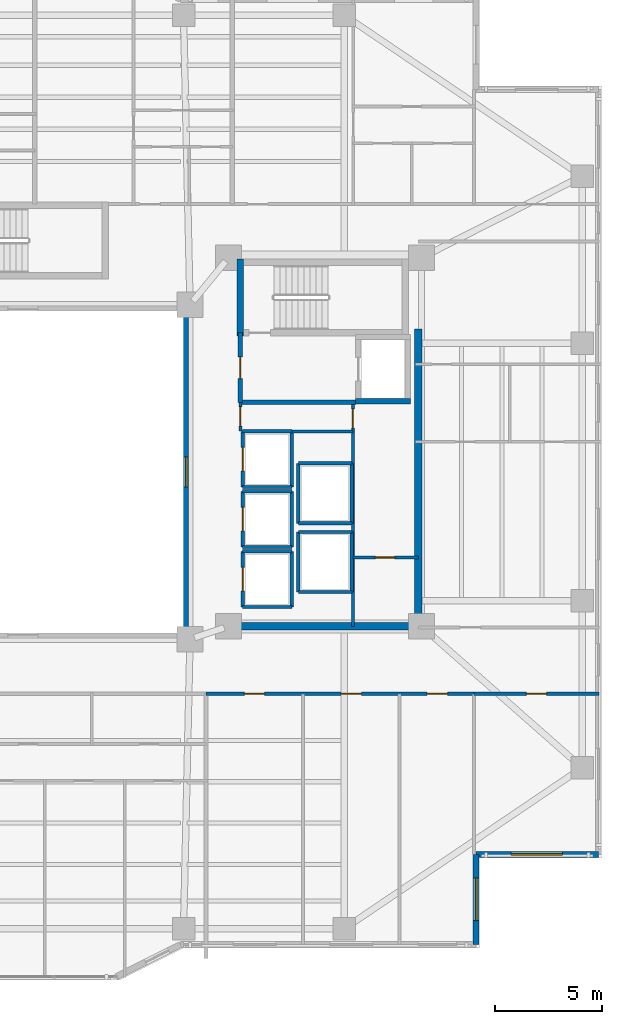
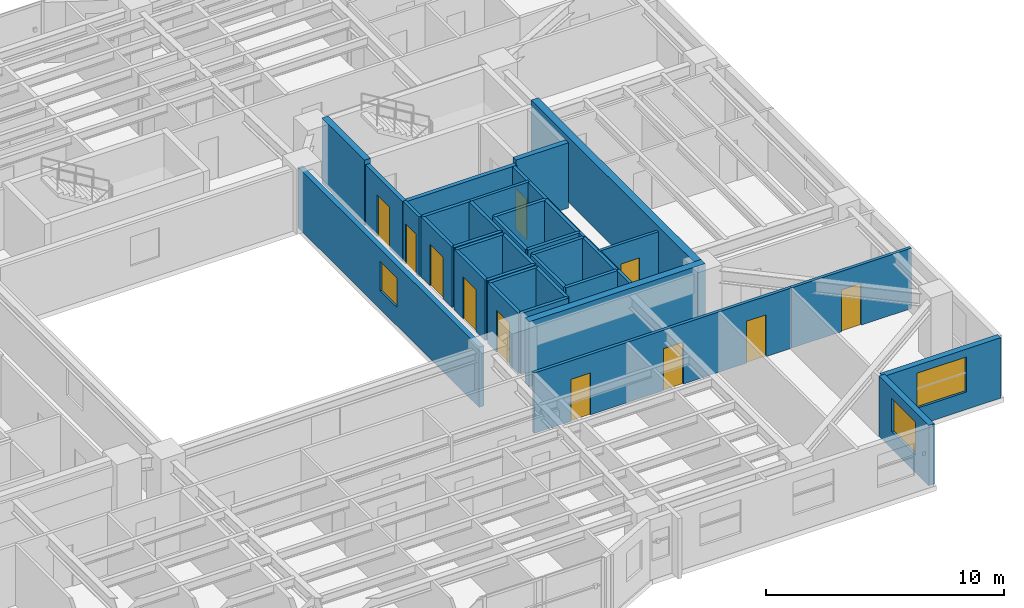
# One storey, part 8 of 18: 35 walls, 11 doors, 3 windows, 14 openings.
"""IFC4 building model written with IfcOpenShell, lengths in metres."""

from ifc_helpers import new_model, si_unit, direction, frame, frame_2d, origin, place, context, subcontext, project, spatial, rectangle, extrude, material, layer, layer_set, type_object, element, fill, save


model = new_model("IFC4")

# Units and contexts
model_context = context("Model", 3, precision=1e-05, world=origin(), true_north=direction((0.0, 1.0)))
body_context = subcontext(model_context, "Body", "Model", "MODEL_VIEW")
ifc_project = project(units=[si_unit("LENGTHUNIT", "METRE"), si_unit("AREAUNIT", "SQUARE_METRE"), si_unit("VOLUMEUNIT", "CUBIC_METRE"), si_unit("PLANEANGLEUNIT", "RADIAN"), si_unit("MASSUNIT", "GRAM", prefix="KILO")], contexts=[model_context])

# Site, building, storey
site_placement = place(None, origin())
site = spatial("IfcSite", under=ifc_project, at=site_placement, CompositionType="ELEMENT")
building_placement = place(site_placement, origin())
building = spatial("IfcBuilding", under=site, at=building_placement, Name="Tarnavaz Court Tower", CompositionType="ELEMENT")
storey_placement = place(building_placement, frame((0.0, 0.0, 95.050048828125)))
storey = spatial("IfcBuildingStorey", under=building, at=storey_placement, Name="L25", CompositionType="ELEMENT", Elevation=95.050048828125)

# Walls
ifc_material_1 = material(Name="Concrete C60/75", Category="concrete")
ifc_layer_1 = layer(ifc_material_1, 0.25)
ifc_layer_set_1 = layer_set([ifc_layer_1], Name="Concrete C60/75")
wall_type_1 = type_object("IfcWallType", Name="WL-CORE-250-C60", PredefinedType="SHEAR", material=ifc_layer_set_1)
wall_1_placement = place(storey_placement, frame((15.52490234375, 3.300048828125, 0.0), z_axis=(0.0, 0.0, 1.0), x_axis=(1.0, 0.0, 0.0)))
element("IfcWall", 1, at=wall_1_placement, inside=storey, type_object=wall_type_1, Name="L25 Lift FL-E1 Shaft Wall 035", PredefinedType="SHEAR", context=body_context, shape_type="SweptSolid", body=[
    extrude(rectangle(XDim=2.550048828125, YDim=0.25, at=frame_2d((1.27490234375, 0.0))), origin(), (0.0, 0.0, 1.0), 3.349853515625),
])
ifc_layer_2 = layer(ifc_material_1, 0.300048828125)
ifc_layer_set_2 = layer_set([ifc_layer_2], Name="Concrete C60/75")
wall_type_2 = type_object("IfcWallType", Name="WL-CORE-300-C60", PredefinedType="SHEAR", material=ifc_layer_set_2)
wall_2_placement = place(storey_placement, frame((10.14990234375, 6.35009765625, 0.0), z_axis=(0.0, 0.0, 1.0), x_axis=(0.0, 1.0, 0.0)))
element("IfcWall", 2, at=wall_2_placement, inside=storey, type_object=wall_type_2, Name="L25 East Stair Core Wall 007", PredefinedType="SHEAR", context=body_context, shape_type="SweptSolid", body=[
    extrude(rectangle(XDim=3.58984375, YDim=0.300048828125, at=frame_2d((1.794921875, 0.0))), origin(), (0.0, 0.0, 1.0), 3.349853515625),
])
ifc_layer_3 = layer(ifc_material_1, 0.35009765625)
ifc_layer_set_3 = layer_set([ifc_layer_3], Name="Concrete C60/75")
wall_type_3 = type_object("IfcWallType", Name="WL-CORE-350-C60", PredefinedType="SHEAR", material=ifc_layer_set_3)
wall_3_placement = place(storey_placement, frame((18.449951171875, -7.375, 0.0), z_axis=(0.0, 0.0, 1.0), x_axis=(0.0, 1.0, 0.0)))
element("IfcWall", 3, at=wall_3_placement, inside=storey, type_object=wall_type_3, Name="L25 East Core Shear Wall 059", PredefinedType="SHEAR", context=body_context, shape_type="SweptSolid", body=[
    extrude(rectangle(XDim=14.050048828125, YDim=0.35009765625, at=frame_2d((7.02490234375, 0.0))), origin(), (0.0, 0.0, 1.0), 3.349853515625),
])
wall_4_placement = place(storey_placement, frame((10.074951171875, -7.199951171875, 0.0), z_axis=(0.0, 0.0, 1.0), x_axis=(1.0, 0.0, 0.0)))
element("IfcWall", 4, at=wall_4_placement, inside=storey, type_object=wall_type_3, Name="L25 East Core South Shear Wall 060", PredefinedType="SHEAR", context=body_context, shape_type="SweptSolid", body=[
    extrude(rectangle(XDim=8.550048828125, YDim=0.35009765625, at=frame_2d((4.27490234375, 0.0))), origin(), (0.0, 0.0, 1.0), 3.349853515625),
])

# Wall, opening, window
ifc_material_2 = material(Name="Precast Concrete C40/50", Category="concrete")
ifc_layer_4 = layer(ifc_material_2, 0.280029296875)
ifc_layer_set_4 = layer_set([ifc_layer_4], Name="Precast Concrete C40/50")
wall_type_4 = type_object("IfcWallType", Name="WL-EXT-280", PredefinedType="SOLIDWALL", material=ifc_layer_set_4)
wall_5_placement = place(storey_placement, frame((26.85009765625, -17.85009765625, 0.0), z_axis=(0.0, 0.0, 1.0), x_axis=(-1.0, 0.0, 0.0)))
wall_5 = element("IfcWall", 5, at=wall_5_placement, inside=storey, type_object=wall_type_4, Name="L25 Exterior Terracotta Facade Wall 13", PredefinedType="SOLIDWALL", context=body_context, shape_type="SweptSolid", body=[
    extrude(rectangle(XDim=5.7001953125, YDim=0.280029296875, at=frame_2d((2.85009765625, 0.0))), origin(), (0.0, 0.0, 1.0), 3.099853515625),
])
opening_1_placement = place(wall_5_placement, frame((1.675048828125, 0.0, 0.89990234375)))
opening_1 = element("IfcOpeningElement", 6, at=opening_1_placement, cuts=wall_5, Name="Opening W06", PredefinedType="OPENING", context=body_context, shape_type="SweptSolid", body=[
    extrude(rectangle(XDim=2.39990234375, YDim=1.800048828125, at=frame_2d((1.199951171875, 0.89990234375))), frame((0.0, 0.14990234375, 0.0), z_axis=(0.0, -1.0, 0.0), x_axis=(1.0, 0.0, 0.0)), (0.0, 0.0, 1.0), 0.300048828125),
])
ifc_material_3 = material(Name="Double-Glazed Solar Low-E Glass", Category="glass")
window_type_1 = type_object("IfcWindowType", Name="WN-APT-2400", PartitioningType="TRIPLE_PANEL_VERTICAL", PredefinedType="WINDOW", material=ifc_material_3)
window_1_placement = place(opening_1_placement, origin())
window_1 = element("IfcWindow", 7, at=window_1_placement, inside=storey, type_object=window_type_1, Name="L25 South-East Corner Reading Room Window", OverallHeight=1.800048828125, OverallWidth=2.39990234375, PartitioningType="SINGLE_PANEL", PredefinedType="WINDOW", context=body_context, shape_type="SweptSolid", body=[
    extrude(rectangle(XDim=2.39990234375, YDim=1.800048828125, at=frame_2d((1.199951171875, 0.89990234375))), frame((0.0, 0.030029296875, 0.0), z_axis=(0.0, -1.0, 0.0), x_axis=(1.0, 0.0, 0.0)), (0.0, 0.0, 1.0), 0.06005859375),
])
fill(opening_1, window_1)

wall_6_placement = place(storey_placement, frame((21.14990234375, -17.85009765625, 0.0), z_axis=(0.0, 0.0, 1.0), x_axis=(0.0, -1.0, 0.0)))
wall_6 = element("IfcWall", 8, at=wall_6_placement, inside=storey, type_object=wall_type_4, Name="L25 Exterior Terracotta Facade Wall 14", PredefinedType="SOLIDWALL", context=body_context, shape_type="SweptSolid", body=[
    extrude(rectangle(XDim=4.199951171875, YDim=0.280029296875, at=frame_2d((2.10009765625, 0.0))), origin(), (0.0, 0.0, 1.0), 3.099853515625),
])
opening_2_placement = place(wall_6_placement, frame((1.082275390625, 0.0, 0.89990234375)))
opening_2 = element("IfcOpeningElement", 9, at=opening_2_placement, cuts=wall_6, Name="Opening W08", PredefinedType="OPENING", context=body_context, shape_type="SweptSolid", body=[
    extrude(rectangle(XDim=2.0, YDim=1.699951171875, at=frame_2d((1.0, 0.85009765625))), frame((0.0, 0.14990234375, 0.0), z_axis=(0.0, -1.0, 0.0), x_axis=(1.0, 0.0, 0.0)), (0.0, 0.0, 1.0), 0.300048828125),
])
window_type_2 = type_object("IfcWindowType", Name="WN-APT-2000", PartitioningType="DOUBLE_PANEL_VERTICAL", PredefinedType="WINDOW", material=ifc_material_3)
window_2_placement = place(opening_2_placement, origin())
window_2 = element("IfcWindow", 10, at=window_2_placement, inside=storey, type_object=window_type_2, Name="L25 Resident Focus Seminar Room Window", OverallHeight=1.699951171875, OverallWidth=2.0, PartitioningType="SINGLE_PANEL", PredefinedType="WINDOW", context=body_context, shape_type="SweptSolid", body=[
    extrude(rectangle(XDim=2.0, YDim=1.699951171875, at=frame_2d((1.0, 0.85009765625))), frame((0.0, 0.030029296875, 0.0), z_axis=(0.0, -1.0, 0.0), x_axis=(1.0, 0.0, 0.0)), (0.0, 0.0, 1.0), 0.06005859375),
])
fill(opening_2, window_2)

# Wall, openings, doors
ifc_material_4 = material(Name="Gypsum Fire-Board on Acoustic Metal Stud", Category="masonry")
ifc_layer_5 = layer(ifc_material_4, 0.14990234375)
ifc_layer_set_5 = layer_set([ifc_layer_5], Name="Gypsum Fire-Board on Acoustic Metal Stud")
wall_type_5 = type_object("IfcWallType", Name="WL-FIRE-150", PredefinedType="PARTITIONING", material=ifc_layer_set_5)
wall_7_placement = place(storey_placement, frame((8.550048828125, -10.35009765625, 0.0), z_axis=(0.0, 0.0, 1.0), x_axis=(1.0, 0.0, 0.0)))
wall_7 = element("IfcWall", 11, at=wall_7_placement, inside=storey, type_object=wall_type_5, Name="L25 SE Horseshoe Wall 074", PredefinedType="PARTITIONING", context=body_context, shape_type="SweptSolid", body=[
    extrude(rectangle(XDim=12.5, YDim=0.14990234375, at=frame_2d((6.25, 0.0))), origin(), (0.0, 0.0, 1.0), 3.099853515625),
])
opening_3_placement = place(wall_7_placement, frame((1.785888671875, 0.0, 0.0)))
opening_3 = element("IfcOpeningElement", 12, at=opening_3_placement, cuts=wall_7, Name="Opening D13", PredefinedType="OPENING", context=body_context, shape_type="SweptSolid", body=[
    extrude(rectangle(XDim=0.949951171875, YDim=2.14990234375, at=frame_2d((0.47509765625, 1.074951171875))), frame((0.0, 0.0849609375, 0.0), z_axis=(0.0, -1.0, 0.0), x_axis=(1.0, 0.0, 0.0)), (0.0, 0.0, 1.0), 0.169921875),
])
opening_4_placement = place(wall_7_placement, frame((6.298095703125, 0.0, 0.0)))
opening_4 = element("IfcOpeningElement", 13, at=opening_4_placement, cuts=wall_7, Name="Opening D13", PredefinedType="OPENING", context=body_context, shape_type="SweptSolid", body=[
    extrude(rectangle(XDim=0.949951171875, YDim=2.14990234375, at=frame_2d((0.47509765625, 1.074951171875))), frame((0.0, 0.0849609375, 0.0), z_axis=(0.0, -1.0, 0.0), x_axis=(1.0, 0.0, 0.0)), (0.0, 0.0, 1.0), 0.169921875),
])
opening_5_placement = place(wall_7_placement, frame((10.31201171875, 0.0, 0.0)))
opening_5 = element("IfcOpeningElement", 14, at=opening_5_placement, cuts=wall_7, Name="Opening D13", PredefinedType="OPENING", context=body_context, shape_type="SweptSolid", body=[
    extrude(rectangle(XDim=0.949951171875, YDim=2.14990234375, at=frame_2d((0.47509765625, 1.074951171875))), frame((0.0, 0.0849609375, 0.0), z_axis=(0.0, -1.0, 0.0), x_axis=(1.0, 0.0, 0.0)), (0.0, 0.0, 1.0), 0.169921875),
])
ifc_material_5 = material(Name="Engineered Oak Timber", Category="wood")
door_type_1 = type_object("IfcDoorType", Name="DR-INT-950", OperationType="NOTDEFINED", PredefinedType="DOOR", material=ifc_material_5)
door_1_placement = place(opening_3_placement, origin())
door_1 = element("IfcDoor", 15, at=door_1_placement, inside=storey, type_object=door_type_1, Name="L25 Resident Co-Working Study Room Door", OperationType="SINGLE_SWING_LEFT", OverallHeight=2.14990234375, OverallWidth=0.949951171875, PredefinedType="DOOR", context=body_context, shape_type="SweptSolid", body=[
    extrude(rectangle(XDim=0.949951171875, YDim=2.14990234375, at=frame_2d((0.47509765625, 1.074951171875))), frame((0.0, 0.02490234375, 0.0), z_axis=(0.0, -1.0, 0.0), x_axis=(1.0, 0.0, 0.0)), (0.0, 0.0, 1.0), 0.050048828125),
])
fill(opening_3, door_1)
door_2_placement = place(opening_4_placement, origin())
door_2 = element("IfcDoor", 16, at=door_2_placement, inside=storey, type_object=door_type_1, Name="L25 Quiet Reading Library Room Door", OperationType="SINGLE_SWING_RIGHT", OverallHeight=2.14990234375, OverallWidth=0.949951171875, PredefinedType="DOOR", context=body_context, shape_type="SweptSolid", body=[
    extrude(rectangle(XDim=0.949951171875, YDim=2.14990234375, at=frame_2d((0.47509765625, 1.074951171875))), frame((0.0, 0.02490234375, 0.0), z_axis=(0.0, -1.0, 0.0), x_axis=(1.0, 0.0, 0.0)), (0.0, 0.0, 1.0), 0.050048828125),
])
fill(opening_4, door_2)
door_3_placement = place(opening_5_placement, origin())
door_3 = element("IfcDoor", 17, at=door_3_placement, inside=storey, type_object=door_type_1, Name="L25 Resident Focus Seminar Room Door", OperationType="SINGLE_SWING_LEFT", OverallHeight=2.14990234375, OverallWidth=0.949951171875, PredefinedType="DOOR", context=body_context, shape_type="SweptSolid", body=[
    extrude(rectangle(XDim=0.949951171875, YDim=2.14990234375, at=frame_2d((0.47509765625, 1.074951171875))), frame((0.0, 0.02490234375, 0.0), z_axis=(0.0, -1.0, 0.0), x_axis=(1.0, 0.0, 0.0)), (0.0, 0.0, 1.0), 0.050048828125),
])
fill(opening_5, door_3)

# Wall, opening, door
wall_8_placement = place(storey_placement, frame((21.050048828125, -10.35009765625, 0.0), z_axis=(0.0, 0.0, 1.0), x_axis=(1.0, 0.0, 0.0)))
wall_8 = element("IfcWall", 18, at=wall_8_placement, inside=storey, type_object=wall_type_5, Name="L25 Interior Partition 119", PredefinedType="PARTITIONING", context=body_context, shape_type="SweptSolid", body=[
    extrude(rectangle(XDim=5.829833984375, YDim=0.14990234375, at=frame_2d((2.9150390625, 0.0))), origin(), (0.0, 0.0, 1.0), 3.099853515625),
])
opening_6_placement = place(wall_8_placement, frame((2.43994140625, 0.0, 0.0)))
opening_6 = element("IfcOpeningElement", 19, at=opening_6_placement, cuts=wall_8, Name="Opening D13", PredefinedType="OPENING", context=body_context, shape_type="SweptSolid", body=[
    extrude(rectangle(XDim=0.949951171875, YDim=2.14990234375, at=frame_2d((0.47509765625, 1.074951171875))), frame((0.0, 0.0849609375, 0.0), z_axis=(0.0, -1.0, 0.0), x_axis=(1.0, 0.0, 0.0)), (0.0, 0.0, 1.0), 0.169921875),
])
door_4_placement = place(opening_6_placement, origin())
door_4 = element("IfcDoor", 20, at=door_4_placement, inside=storey, type_object=door_type_1, Name="L25 SE Reading Room Door", OperationType="SINGLE_SWING_RIGHT", OverallHeight=2.14990234375, OverallWidth=0.949951171875, PredefinedType="DOOR", context=body_context, shape_type="SweptSolid", body=[
    extrude(rectangle(XDim=0.949951171875, YDim=2.14990234375, at=frame_2d((0.47509765625, 1.074951171875))), frame((0.0, 0.02490234375, 0.0), z_axis=(0.0, -1.0, 0.0), x_axis=(1.0, 0.0, 0.0)), (0.0, 0.0, 1.0), 0.050048828125),
])
fill(opening_6, door_4)

# Wall
ifc_material_6 = material(Name="Autoclaved Aerated Concrete Blockwork", Category="masonry")
ifc_layer_6 = layer(ifc_material_6, 0.199951171875)
ifc_layer_set_6 = layer_set([ifc_layer_6], Name="Autoclaved Aerated Concrete Blockwork")
wall_type_6 = type_object("IfcWallType", Name="WL-FIRE-200", PredefinedType="SOLIDWALL", material=ifc_layer_set_6)
wall_9_placement = place(storey_placement, frame((10.14990234375, 3.25, 0.0), z_axis=(0.0, 0.0, 1.0), x_axis=(1.0, 0.0, 0.0)))
element("IfcWall", 21, at=wall_9_placement, inside=storey, type_object=wall_type_6, Name="L25 East Firefighting Lobby Wall 015", PredefinedType="SOLIDWALL", context=body_context, shape_type="SweptSolid", body=[
    extrude(rectangle(XDim=5.400146484375, YDim=0.199951171875, at=frame_2d((2.7001953125, 0.0))), origin(), (0.0, 0.0, 1.0), 3.099853515625),
])

# Wall, opening, door
wall_10_placement = place(storey_placement, frame((10.14990234375, 3.25, 0.0), z_axis=(0.0, 0.0, 1.0), x_axis=(0.0, 1.0, 0.0)))
wall_10 = element("IfcWall", 22, at=wall_10_placement, inside=storey, type_object=wall_type_6, Name="L25 East Firefighting Lobby Wall 016", PredefinedType="SOLIDWALL", context=body_context, shape_type="SweptSolid", body=[
    extrude(rectangle(XDim=3.25, YDim=0.199951171875, at=frame_2d((1.625, 0.0))), origin(), (0.0, 0.0, 1.0), 3.099853515625),
])
opening_7_placement = place(wall_10_placement, frame((1.10009765625, 0.0, 0.0)))
opening_7 = element("IfcOpeningElement", 23, at=opening_7_placement, cuts=wall_10, Name="Opening D05", PredefinedType="OPENING", context=body_context, shape_type="SweptSolid", body=[
    extrude(rectangle(XDim=1.02001953125, YDim=2.14990234375, at=frame_2d((0.510009765625, 1.074951171875))), frame((0.0, 0.10986328125, 0.0), z_axis=(0.0, -1.0, 0.0), x_axis=(1.0, 0.0, 0.0)), (0.0, 0.0, 1.0), 0.219970703125),
])
ifc_material_7 = material(Name="Fire-Rated Hardwood Timber Core", Category="wood")
door_type_2 = type_object("IfcDoorType", Name="DR-FD60-1000", OperationType="NOTDEFINED", PredefinedType="DOOR", material=ifc_material_7)
door_5_placement = place(opening_7_placement, origin())
door_5 = element("IfcDoor", 24, at=door_5_placement, inside=storey, type_object=door_type_2, Name="L25 East Firefighting Lobby Door", OperationType="SINGLE_SWING_LEFT", OverallHeight=2.14990234375, OverallWidth=1.02001953125, PredefinedType="DOOR", context=body_context, shape_type="SweptSolid", body=[
    extrude(rectangle(XDim=1.02001953125, YDim=2.14990234375, at=frame_2d((0.510009765625, 1.074951171875))), frame((0.0, 0.02490234375, 0.0), z_axis=(0.0, -1.0, 0.0), x_axis=(1.0, 0.0, 0.0)), (0.0, 0.0, 1.0), 0.050048828125),
])
fill(opening_7, door_5)

# Wall
ifc_material_8 = material(Name="Gypsum Plasterboard Acoustic Partition", Category="masonry")
ifc_layer_7 = layer(ifc_material_8, 0.139892578125)
ifc_layer_set_7 = layer_set([ifc_layer_7], Name="Gypsum Plasterboard Acoustic Partition")
wall_type_7 = type_object("IfcWallType", Name="WL-PART-150", PredefinedType="PARTITIONING", material=ifc_layer_set_7)
wall_11_placement = place(storey_placement, frame((12.550048828125, 1.89990234375, 0.0), z_axis=(0.0, 0.0, 1.0), x_axis=(1.0, 0.0, 0.0)))
element("IfcWall", 25, at=wall_11_placement, inside=storey, type_object=wall_type_7, Name="L25 Interior Partition 067", PredefinedType="PARTITIONING", context=body_context, shape_type="SweptSolid", body=[
    extrude(rectangle(XDim=2.849853515625, YDim=0.139892578125, at=frame_2d((1.4248046875, 0.0))), origin(), (0.0, 0.0, 1.0), 3.099853515625),
])

# Wall, opening, door
wall_12_placement = place(storey_placement, frame((10.14990234375, 1.919921875, 0.0), z_axis=(0.0, 0.0, 1.0), x_axis=(0.0, 1.0, 0.0)))
wall_12 = element("IfcWall", 26, at=wall_12_placement, inside=storey, type_object=wall_type_7, Name="L25 Interior Partition 068", PredefinedType="PARTITIONING", context=body_context, shape_type="SweptSolid", body=[
    extrude(rectangle(XDim=1.330078125, YDim=0.139892578125, at=frame_2d((0.6650390625, 0.0))), origin(), (0.0, 0.0, 1.0), 3.099853515625),
])
opening_8_placement = place(wall_12_placement, frame((0.219970703125, 0.0, 0.0)))
opening_8 = element("IfcOpeningElement", 27, at=opening_8_placement, cuts=wall_12, Name="Opening D09", PredefinedType="OPENING", context=body_context, shape_type="SweptSolid", body=[
    extrude(rectangle(XDim=0.89990234375, YDim=2.080078125, at=frame_2d((0.449951171875, 1.0400390625))), frame((0.0, 0.079833984375, 0.0), z_axis=(0.0, -1.0, 0.0), x_axis=(1.0, 0.0, 0.0)), (0.0, 0.0, 1.0), 0.159912109375),
])
door_type_3 = type_object("IfcDoorType", Name="DR-FD30-900", OperationType="NOTDEFINED", PredefinedType="DOOR", material=ifc_material_7)
door_6_placement = place(opening_8_placement, origin())
door_6 = element("IfcDoor", 28, at=door_6_placement, inside=storey, type_object=door_type_3, Name="L25 East Core Service Lobby Door", OperationType="SINGLE_SWING_RIGHT", OverallHeight=2.080078125, OverallWidth=0.89990234375, PredefinedType="DOOR", context=body_context, shape_type="SweptSolid", body=[
    extrude(rectangle(XDim=0.89990234375, YDim=2.080078125, at=frame_2d((0.449951171875, 1.0400390625))), frame((0.0, 0.02490234375, 0.0), z_axis=(0.0, -1.0, 0.0), x_axis=(1.0, 0.0, 0.0)), (0.0, 0.0, 1.0), 0.050048828125),
])
fill(opening_8, door_6)

wall_13_placement = place(storey_placement, frame((15.39990234375, -7.199951171875, 0.0), z_axis=(0.0, 0.0, 1.0), x_axis=(0.0, 1.0, 0.0)))
wall_13 = element("IfcWall", 29, at=wall_13_placement, inside=storey, type_object=wall_type_7, Name="L25 Interior Partition 069", PredefinedType="PARTITIONING", context=body_context, shape_type="SweptSolid", body=[
    extrude(rectangle(XDim=10.449951171875, YDim=0.139892578125, at=frame_2d((5.22509765625, 0.0))), origin(), (0.0, 0.0, 1.0), 3.099853515625),
])
opening_9_placement = place(wall_13_placement, frame((9.25, 0.0, 0.0)))
opening_9 = element("IfcOpeningElement", 30, at=opening_9_placement, cuts=wall_13, Name="Opening D09", PredefinedType="OPENING", context=body_context, shape_type="SweptSolid", body=[
    extrude(rectangle(XDim=0.89990234375, YDim=2.080078125, at=frame_2d((0.449951171875, 1.0400390625))), frame((0.0, 0.079833984375, 0.0), z_axis=(0.0, -1.0, 0.0), x_axis=(1.0, 0.0, 0.0)), (0.0, 0.0, 1.0), 0.159912109375),
])
door_7_placement = place(opening_9_placement, origin())
door_7 = element("IfcDoor", 31, at=door_7_placement, inside=storey, type_object=door_type_3, Name="L25 East Wet Riser Door", OperationType="SINGLE_SWING_LEFT", OverallHeight=2.080078125, OverallWidth=0.89990234375, PredefinedType="DOOR", context=body_context, shape_type="SweptSolid", body=[
    extrude(rectangle(XDim=0.89990234375, YDim=2.080078125, at=frame_2d((0.449951171875, 1.0400390625))), frame((0.0, 0.02490234375, 0.0), z_axis=(0.0, -1.0, 0.0), x_axis=(1.0, 0.0, 0.0)), (0.0, 0.0, 1.0), 0.050048828125),
])
fill(opening_9, door_7)

wall_14_placement = place(storey_placement, frame((15.39990234375, -3.989990234375, 0.0), z_axis=(0.0, 0.0, 1.0), x_axis=(1.0, 0.0, 0.0)))
wall_14 = element("IfcWall", 32, at=wall_14_placement, inside=storey, type_object=wall_type_7, Name="L25 Interior Partition 070", PredefinedType="PARTITIONING", context=body_context, shape_type="SweptSolid", body=[
    extrude(rectangle(XDim=3.050048828125, YDim=0.139892578125, at=frame_2d((1.52490234375, 0.0))), origin(), (0.0, 0.0, 1.0), 3.099853515625),
])
opening_10_placement = place(wall_14_placement, frame((1.050048828125, 0.0, 0.0)))
opening_10 = element("IfcOpeningElement", 33, at=opening_10_placement, cuts=wall_14, Name="Opening D09", PredefinedType="OPENING", context=body_context, shape_type="SweptSolid", body=[
    extrude(rectangle(XDim=0.89990234375, YDim=2.080078125, at=frame_2d((0.449951171875, 1.0400390625))), frame((0.0, 0.079833984375, 0.0), z_axis=(0.0, -1.0, 0.0), x_axis=(1.0, 0.0, 0.0)), (0.0, 0.0, 1.0), 0.159912109375),
])
door_8_placement = place(opening_10_placement, origin())
door_8 = element("IfcDoor", 34, at=door_8_placement, inside=storey, type_object=door_type_3, Name="L25 East Electrical Plant Door", OperationType="SINGLE_SWING_RIGHT", OverallHeight=2.080078125, OverallWidth=0.89990234375, PredefinedType="DOOR", context=body_context, shape_type="SweptSolid", body=[
    extrude(rectangle(XDim=0.89990234375, YDim=2.080078125, at=frame_2d((0.449951171875, 1.0400390625))), frame((0.0, 0.02490234375, 0.0), z_axis=(0.0, -1.0, 0.0), x_axis=(1.0, 0.0, 0.0)), (0.0, 0.0, 1.0), 0.050048828125),
])
fill(opening_10, door_8)

ifc_layer_8 = layer(ifc_material_6, 0.159912109375)
ifc_layer_set_8 = layer_set([ifc_layer_8], Name="Autoclaved Aerated Concrete Blockwork")
wall_type_8 = type_object("IfcWallType", Name="WL-SHAFT-150", PredefinedType="SOLIDWALL", material=ifc_layer_set_8)
wall_15_placement = place(storey_placement, frame((10.25, -6.300048828125, 0.0), z_axis=(0.0, 0.0, 1.0), x_axis=(0.0, 1.0, 0.0)))
wall_15 = element("IfcWall", 35, at=wall_15_placement, inside=storey, type_object=wall_type_8, Name="L25 Lift PL-M1 Shaft Wall 037", PredefinedType="SOLIDWALL", context=body_context, shape_type="SweptSolid", body=[
    extrude(rectangle(XDim=2.60009765625, YDim=0.159912109375, at=frame_2d((1.300048828125, 0.0))), origin(), (0.0, 0.0, 1.0), 3.099853515625),
])
opening_11_placement = place(wall_15_placement, frame((0.75, 0.0, 0.0)))
opening_11 = element("IfcOpeningElement", 36, at=opening_11_placement, cuts=wall_15, Name="Opening LD1", PredefinedType="OPENING", context=body_context, shape_type="SweptSolid", body=[
    extrude(rectangle(XDim=1.10009765625, YDim=2.14990234375, at=frame_2d((0.550048828125, 1.074951171875))), frame((0.0, 0.08984375, 0.0), z_axis=(0.0, -1.0, 0.0), x_axis=(1.0, 0.0, 0.0)), (0.0, 0.0, 1.0), 0.179931640625),
])
ifc_material_9 = material(Name="Stainless Steel", Category="steel")
door_type_4 = type_object("IfcDoorType", Name="DR-LD-1100", OperationType="NOTDEFINED", PredefinedType="DOOR", material=ifc_material_9)
door_9_placement = place(opening_11_placement, origin())
door_9 = element("IfcDoor", 37, at=door_9_placement, inside=storey, type_object=door_type_4, Name="L25 Lift Landing Door LD-PL-M1", OperationType="SLIDING_TO_LEFT", OverallHeight=2.14990234375, OverallWidth=1.10009765625, PredefinedType="DOOR", context=body_context, shape_type="SweptSolid", body=[
    extrude(rectangle(XDim=1.10009765625, YDim=2.14990234375, at=frame_2d((0.550048828125, 1.074951171875))), frame((0.0, 0.02490234375, 0.0), z_axis=(0.0, -1.0, 0.0), x_axis=(1.0, 0.0, 0.0)), (0.0, 0.0, 1.0), 0.050048828125),
])
fill(opening_11, door_9)

# Walls
wall_16_placement = place(storey_placement, frame((12.550048828125, -6.300048828125, 0.0), z_axis=(0.0, 0.0, 1.0), x_axis=(0.0, 1.0, 0.0)))
element("IfcWall", 38, at=wall_16_placement, inside=storey, type_object=wall_type_8, Name="L25 Lift PL-M1 Shaft Wall 038", PredefinedType="SOLIDWALL", context=body_context, shape_type="SweptSolid", body=[
    extrude(rectangle(XDim=2.60009765625, YDim=0.159912109375, at=frame_2d((1.300048828125, 0.0))), origin(), (0.0, 0.0, 1.0), 3.099853515625),
])
for number, where, z_axis, x_axis, name in (
    (39, (10.25, -6.300048828125, 0.0), (0.0, 0.0, 1.0), (1.0, 0.0, 0.0), "L25 Lift PL-M1 Shaft Wall 039"),
    (40, (10.25, -3.699951171875, 0.0), (0.0, 0.0, 1.0), (1.0, 0.0, 0.0), "L25 Lift PL-M1 Shaft Wall 040"),
):
    element("IfcWall", number, at=place(storey_placement, frame(where, z_axis=z_axis, x_axis=x_axis)), inside=storey, type_object=wall_type_8, Name=name, PredefinedType="SOLIDWALL", context=body_context, shape_type="SweptSolid", body=[
        extrude(rectangle(XDim=2.300048828125, YDim=0.159912109375, at=frame_2d((1.14990234375, 0.0))), origin(), (0.0, 0.0, 1.0), 3.099853515625),
    ])

# Wall, opening, door
wall_17_placement = place(storey_placement, frame((10.25, -3.5, 0.0), z_axis=(0.0, 0.0, 1.0), x_axis=(0.0, 1.0, 0.0)))
wall_17 = element("IfcWall", 41, at=wall_17_placement, inside=storey, type_object=wall_type_8, Name="L25 Lift PL-M2 Shaft Wall 041", PredefinedType="SOLIDWALL", context=body_context, shape_type="SweptSolid", body=[
    extrude(rectangle(XDim=2.60009765625, YDim=0.159912109375, at=frame_2d((1.300048828125, 0.0))), origin(), (0.0, 0.0, 1.0), 3.099853515625),
])
opening_12_placement = place(wall_17_placement, frame((0.75, 0.0, 0.0)))
opening_12 = element("IfcOpeningElement", 42, at=opening_12_placement, cuts=wall_17, Name="Opening LD1", PredefinedType="OPENING", context=body_context, shape_type="SweptSolid", body=[
    extrude(rectangle(XDim=1.10009765625, YDim=2.14990234375, at=frame_2d((0.550048828125, 1.074951171875))), frame((0.0, 0.08984375, 0.0), z_axis=(0.0, -1.0, 0.0), x_axis=(1.0, 0.0, 0.0)), (0.0, 0.0, 1.0), 0.179931640625),
])
door_10_placement = place(opening_12_placement, origin())
door_10 = element("IfcDoor", 43, at=door_10_placement, inside=storey, type_object=door_type_4, Name="L25 Lift Landing Door LD-PL-M2", OperationType="SLIDING_TO_LEFT", OverallHeight=2.14990234375, OverallWidth=1.10009765625, PredefinedType="DOOR", context=body_context, shape_type="SweptSolid", body=[
    extrude(rectangle(XDim=1.10009765625, YDim=2.14990234375, at=frame_2d((0.550048828125, 1.074951171875))), frame((0.0, 0.02490234375, 0.0), z_axis=(0.0, -1.0, 0.0), x_axis=(1.0, 0.0, 0.0)), (0.0, 0.0, 1.0), 0.050048828125),
])
fill(opening_12, door_10)

# Walls
wall_18_placement = place(storey_placement, frame((12.550048828125, -3.5, 0.0), z_axis=(0.0, 0.0, 1.0), x_axis=(0.0, 1.0, 0.0)))
element("IfcWall", 44, at=wall_18_placement, inside=storey, type_object=wall_type_8, Name="L25 Lift PL-M2 Shaft Wall 042", PredefinedType="SOLIDWALL", context=body_context, shape_type="SweptSolid", body=[
    extrude(rectangle(XDim=2.60009765625, YDim=0.159912109375, at=frame_2d((1.300048828125, 0.0))), origin(), (0.0, 0.0, 1.0), 3.099853515625),
])
for number, where, z_axis, x_axis, name in (
    (45, (10.25, -3.5, 0.0), (0.0, 0.0, 1.0), (1.0, 0.0, 0.0), "L25 Lift PL-M2 Shaft Wall 043"),
    (46, (10.25, -0.89990234375, 0.0), (0.0, 0.0, 1.0), (1.0, 0.0, 0.0), "L25 Lift PL-M2 Shaft Wall 044"),
):
    element("IfcWall", number, at=place(storey_placement, frame(where, z_axis=z_axis, x_axis=x_axis)), inside=storey, type_object=wall_type_8, Name=name, PredefinedType="SOLIDWALL", context=body_context, shape_type="SweptSolid", body=[
        extrude(rectangle(XDim=2.300048828125, YDim=0.159912109375, at=frame_2d((1.14990234375, 0.0))), origin(), (0.0, 0.0, 1.0), 3.099853515625),
    ])

# Wall, opening, door
wall_19_placement = place(storey_placement, frame((10.25, -0.699951171875, 0.0), z_axis=(0.0, 0.0, 1.0), x_axis=(0.0, 1.0, 0.0)))
wall_19 = element("IfcWall", 47, at=wall_19_placement, inside=storey, type_object=wall_type_8, Name="L25 Lift PL-M3 Shaft Wall 045", PredefinedType="SOLIDWALL", context=body_context, shape_type="SweptSolid", body=[
    extrude(rectangle(XDim=2.599853515625, YDim=0.159912109375, at=frame_2d((1.2998046875, 0.0))), origin(), (0.0, 0.0, 1.0), 3.099853515625),
])
opening_13_placement = place(wall_19_placement, frame((0.75, 0.0, 0.0)))
opening_13 = element("IfcOpeningElement", 48, at=opening_13_placement, cuts=wall_19, Name="Opening LD1", PredefinedType="OPENING", context=body_context, shape_type="SweptSolid", body=[
    extrude(rectangle(XDim=1.10009765625, YDim=2.14990234375, at=frame_2d((0.550048828125, 1.074951171875))), frame((0.0, 0.08984375, 0.0), z_axis=(0.0, -1.0, 0.0), x_axis=(1.0, 0.0, 0.0)), (0.0, 0.0, 1.0), 0.179931640625),
])
door_11_placement = place(opening_13_placement, origin())
door_11 = element("IfcDoor", 49, at=door_11_placement, inside=storey, type_object=door_type_4, Name="L25 Lift Landing Door LD-PL-M3", OperationType="SLIDING_TO_LEFT", OverallHeight=2.14990234375, OverallWidth=1.10009765625, PredefinedType="DOOR", context=body_context, shape_type="SweptSolid", body=[
    extrude(rectangle(XDim=1.10009765625, YDim=2.14990234375, at=frame_2d((0.550048828125, 1.074951171875))), frame((0.0, 0.02490234375, 0.0), z_axis=(0.0, -1.0, 0.0), x_axis=(1.0, 0.0, 0.0)), (0.0, 0.0, 1.0), 0.050048828125),
])
fill(opening_13, door_11)

# Walls
wall_20_placement = place(storey_placement, frame((12.550048828125, -0.699951171875, 0.0), z_axis=(0.0, 0.0, 1.0), x_axis=(0.0, 1.0, 0.0)))
element("IfcWall", 50, at=wall_20_placement, inside=storey, type_object=wall_type_8, Name="L25 Lift PL-M3 Shaft Wall 046", PredefinedType="SOLIDWALL", context=body_context, shape_type="SweptSolid", body=[
    extrude(rectangle(XDim=2.599853515625, YDim=0.159912109375, at=frame_2d((1.2998046875, 0.0))), origin(), (0.0, 0.0, 1.0), 3.099853515625),
])
for number, where, z_axis, x_axis, name in (
    (51, (10.25, -0.699951171875, 0.0), (0.0, 0.0, 1.0), (1.0, 0.0, 0.0), "L25 Lift PL-M3 Shaft Wall 047"),
    (52, (10.25, 1.89990234375, 0.0), (0.0, 0.0, 1.0), (1.0, 0.0, 0.0), "L25 Lift PL-M3 Shaft Wall 048"),
):
    element("IfcWall", number, at=place(storey_placement, frame(where, z_axis=z_axis, x_axis=x_axis)), inside=storey, type_object=wall_type_8, Name=name, PredefinedType="SOLIDWALL", context=body_context, shape_type="SweptSolid", body=[
        extrude(rectangle(XDim=2.300048828125, YDim=0.159912109375, at=frame_2d((1.14990234375, 0.0))), origin(), (0.0, 0.0, 1.0), 3.099853515625),
    ])
for number, where, z_axis, x_axis, name in (
    (53, (12.85009765625, -5.60009765625, 0.0), (0.0, 0.0, 1.0), (0.0, 1.0, 0.0), "L25 Lift PL-OB1 Shaft Wall 049"),
    (54, (15.35009765625, -5.60009765625, 0.0), (0.0, 0.0, 1.0), (0.0, 1.0, 0.0), "L25 Lift PL-OB1 Shaft Wall 050"),
):
    element("IfcWall", number, at=place(storey_placement, frame(where, z_axis=z_axis, x_axis=x_axis)), inside=storey, type_object=wall_type_8, Name=name, PredefinedType="SOLIDWALL", context=body_context, shape_type="SweptSolid", body=[
        extrude(rectangle(XDim=2.800048828125, YDim=0.159912109375, at=frame_2d((1.39990234375, 0.0))), origin(), (0.0, 0.0, 1.0), 3.099853515625),
    ])
for number, where, z_axis, x_axis, name in (
    (55, (12.85009765625, -5.60009765625, 0.0), (0.0, 0.0, 1.0), (1.0, 0.0, 0.0), "L25 Lift PL-OB1 Shaft Wall 051"),
    (56, (12.85009765625, -2.800048828125, 0.0), (0.0, 0.0, 1.0), (1.0, 0.0, 0.0), "L25 Lift PL-OB1 Shaft Wall 052"),
):
    element("IfcWall", number, at=place(storey_placement, frame(where, z_axis=z_axis, x_axis=x_axis)), inside=storey, type_object=wall_type_8, Name=name, PredefinedType="SOLIDWALL", context=body_context, shape_type="SweptSolid", body=[
        extrude(rectangle(XDim=2.5, YDim=0.159912109375, at=frame_2d((1.25, 0.0))), origin(), (0.0, 0.0, 1.0), 3.099853515625),
    ])
for number, where, z_axis, x_axis, name in (
    (57, (12.85009765625, -2.39990234375, 0.0), (0.0, 0.0, 1.0), (0.0, 1.0, 0.0), "L25 Lift PL-OB2 Shaft Wall 053"),
    (58, (15.35009765625, -2.39990234375, 0.0), (0.0, 0.0, 1.0), (0.0, 1.0, 0.0), "L25 Lift PL-OB2 Shaft Wall 054"),
):
    element("IfcWall", number, at=place(storey_placement, frame(where, z_axis=z_axis, x_axis=x_axis)), inside=storey, type_object=wall_type_8, Name=name, PredefinedType="SOLIDWALL", context=body_context, shape_type="SweptSolid", body=[
        extrude(rectangle(XDim=2.7998046875, YDim=0.159912109375, at=frame_2d((1.39990234375, 0.0))), origin(), (0.0, 0.0, 1.0), 3.099853515625),
    ])
for number, where, z_axis, x_axis, name in (
    (59, (12.85009765625, -2.39990234375, 0.0), (0.0, 0.0, 1.0), (1.0, 0.0, 0.0), "L25 Lift PL-OB2 Shaft Wall 055"),
    (60, (12.85009765625, 0.39990234375, 0.0), (0.0, 0.0, 1.0), (1.0, 0.0, 0.0), "L25 Lift PL-OB2 Shaft Wall 056"),
):
    element("IfcWall", number, at=place(storey_placement, frame(where, z_axis=z_axis, x_axis=x_axis)), inside=storey, type_object=wall_type_8, Name=name, PredefinedType="SOLIDWALL", context=body_context, shape_type="SweptSolid", body=[
        extrude(rectangle(XDim=2.5, YDim=0.159912109375, at=frame_2d((1.25, 0.0))), origin(), (0.0, 0.0, 1.0), 3.099853515625),
    ])

# Wall, opening, window
ifc_layer_9 = layer(ifc_material_2, 0.239990234375)
ifc_layer_set_9 = layer_set([ifc_layer_9], Name="Precast Concrete C40/50")
wall_type_9 = type_object("IfcWallType", Name="WL-WELL-240", PredefinedType="SOLIDWALL", material=ifc_layer_set_9)
wall_21_placement = place(storey_placement, frame((7.6201171875, -7.6201171875, 0.0), z_axis=(0.0, 0.0, 1.0), x_axis=(0.0, 1.0, 0.0)))
wall_21 = element("IfcWall", 61, at=wall_21_placement, inside=storey, type_object=wall_type_9, Name="L25 Badgir Light-Well Exterior Wall E", PredefinedType="SOLIDWALL", context=body_context, shape_type="SweptSolid", body=[
    extrude(rectangle(XDim=15.240234375, YDim=0.239990234375, at=frame_2d((7.6201171875, 0.0))), origin(), (0.0, 0.0, 1.0), 3.099853515625),
])
opening_14_placement = place(wall_21_placement, frame((6.919921875, 0.0, 0.949951171875)))
opening_14 = element("IfcOpeningElement", 62, at=opening_14_placement, cuts=wall_21, Name="Opening W13", PredefinedType="OPENING", context=body_context, shape_type="SweptSolid", body=[
    extrude(rectangle(XDim=1.39990234375, YDim=1.5, at=frame_2d((0.699951171875, 0.75))), frame((0.0, 0.1298828125, 0.0), z_axis=(0.0, -1.0, 0.0), x_axis=(1.0, 0.0, 0.0)), (0.0, 0.0, 1.0), 0.260009765625),
])
window_type_3 = type_object("IfcWindowType", Name="WN-WEL-1400", PartitioningType="SINGLE_PANEL", PredefinedType="WINDOW", material=ifc_material_3)
window_3_placement = place(opening_14_placement, origin())
window_3 = element("IfcWindow", 63, at=window_3_placement, inside=storey, type_object=window_type_3, Name="L25 Courtyard Gallery Window E", OverallHeight=1.5, OverallWidth=1.39990234375, PartitioningType="SINGLE_PANEL", PredefinedType="WINDOW", context=body_context, shape_type="SweptSolid", body=[
    extrude(rectangle(XDim=1.39990234375, YDim=1.5, at=frame_2d((0.699951171875, 0.75))), frame((0.0, 0.030029296875, 0.0), z_axis=(0.0, -1.0, 0.0), x_axis=(1.0, 0.0, 0.0)), (0.0, 0.0, 1.0), 0.06005859375),
])
fill(opening_14, window_3)

save(model, "model.ifc")
